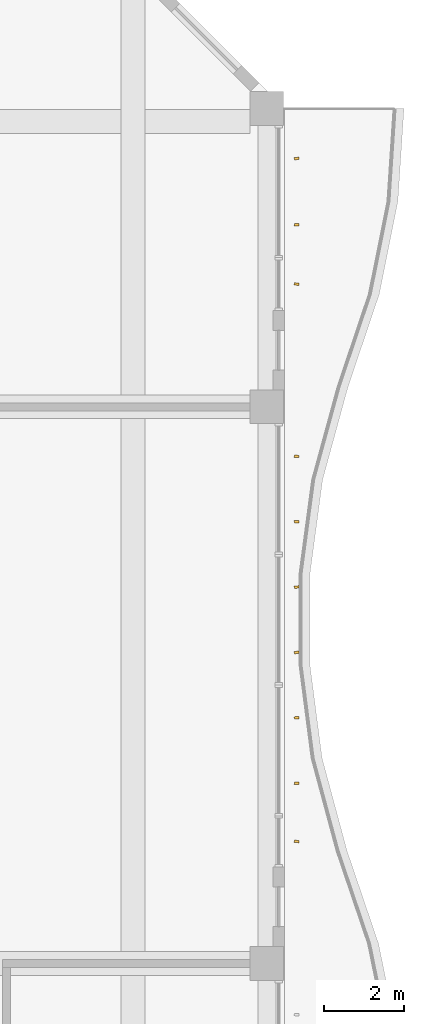
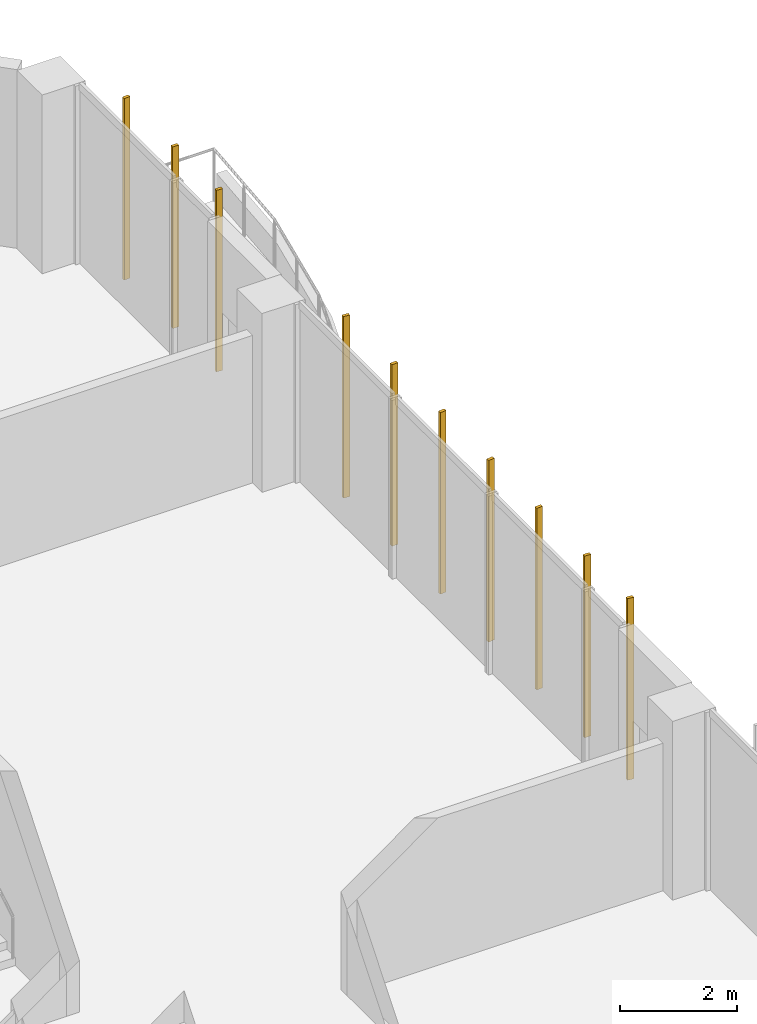
# One storey, part 27 of 27: 10 shading devices.
"""IFC4 building model written with IfcOpenShell, lengths in metres."""

import ifcopenshell
import ifcopenshell.guid

model = None  # the IFC model being written
_history = None  # IfcOwnerHistory: only IFC2X3 demands one
_inside = {}  # id of a spatial element -> (the spatial element, [elements in it])
_under = {}  # id of a project, library or spatial element -> (it, [spatial elements below it])
_declared = {}  # id of a project -> (the project, [libraries it declares])
_typed = {}  # id of a type object -> (the type object, [elements of that type])
_made_of = {}  # id of a material, layer set ... -> (it, [elements and type objects made of it])


def new_model(schema):
    """Start an empty IFC model of exactly this schema.

    Asked for "IFC4X3", IfcOpenShell would pick the latest addendum, in which some entities
    have other attributes; the version numbers below select the first issue.
    IFC2X3 requires an IfcOwnerHistory on every rooted entity: one is made here for all.
    """
    global model, _history
    if schema == "IFC4X3":
        model = ifcopenshell.file(schema_version=(4, 3, 0, 0))
    else:
        model = ifcopenshell.file(schema=schema)
    _inside.clear()
    _under.clear()
    _declared.clear()
    _typed.clear()
    _made_of.clear()
    _history = None
    if model.schema == "IFC2X3":
        org = make("IfcOrganization", Name="unknown")
        user = make(
            "IfcPersonAndOrganization",
            ThePerson=make("IfcPerson", FamilyName="unknown"),
            TheOrganization=org,
        )
        app = make(
            "IfcApplication",
            ApplicationDeveloper=org,
            Version="unknown",
            ApplicationFullName="unknown",
            ApplicationIdentifier="unknown",
        )
        _history = make(
            "IfcOwnerHistory",
            OwningUser=user,
            OwningApplication=app,
            ChangeAction="ADDED",
            CreationDate=0,
        )
    return model


def make(cls, **values):
    """One entity of the class cls with the attributes given. An attribute that is None is left unset."""
    return model.create_entity(
        cls, **{name: value for name, value in values.items() if value is not None}
    )


def rooted(cls, **values):
    """An entity with a GlobalId (a new one), such as an element, a storey or a relation."""
    return make(cls, GlobalId=ifcopenshell.guid.new(), OwnerHistory=_history, **values)


def si_unit(unit_type, name, prefix=None):
    """IfcSIUnit, for example si_unit("LENGTHUNIT", "METRE", prefix="MILLI")."""
    return make("IfcSIUnit", UnitType=unit_type, Prefix=prefix, Name=name)


def assignment(units):
    """IfcUnitAssignment: the units of a project."""
    return None if units is None else make("IfcUnitAssignment", Units=units)


def point(xyz):
    """IfcCartesianPoint."""
    return None if xyz is None else make("IfcCartesianPoint", Coordinates=xyz)


def direction(xyz):
    """IfcDirection."""
    return None if xyz is None else make("IfcDirection", DirectionRatios=xyz)


def frame(location, z_axis=None, x_axis=None):
    """IfcAxis2Placement3D, a coordinate frame: its origin and axes. An axis left out is left unset."""
    return make(
        "IfcAxis2Placement3D",
        Location=point(location),
        Axis=direction(z_axis),
        RefDirection=direction(x_axis),
    )


def frame_2d(location, x_axis=None):
    """IfcAxis2Placement2D, a coordinate frame in the plane: its origin and x axis."""
    return make(
        "IfcAxis2Placement2D", Location=point(location), RefDirection=direction(x_axis)
    )


def origin():
    """The frame at (0, 0, 0) with its axes left unset."""
    return frame((0.0, 0.0, 0.0))


def origin_2d():
    """The frame at (0, 0) in the plane with its x axis left unset."""
    return frame_2d((0.0, 0.0))


def place(relative_to, where):
    """IfcLocalPlacement: puts the frame where relative to a parent placement (None: the world)."""
    return make(
        "IfcLocalPlacement", PlacementRelTo=relative_to, RelativePlacement=where
    )


def context(
    kind, dimensions, precision=None, world=None, true_north=None, identifier=None
):
    """IfcGeometricRepresentationContext, for example the 3D "Model" context."""
    return make(
        "IfcGeometricRepresentationContext",
        ContextIdentifier=identifier,
        ContextType=kind,
        CoordinateSpaceDimension=dimensions,
        Precision=precision,
        WorldCoordinateSystem=world,
        TrueNorth=true_north,
    )


def subcontext(parent, identifier, kind, view, scale=None):
    """IfcGeometricRepresentationSubContext, for example "Body" below "Model"."""
    return make(
        "IfcGeometricRepresentationSubContext",
        ContextIdentifier=identifier,
        ContextType=kind,
        ParentContext=parent,
        TargetScale=scale,
        TargetView=view,
    )


def project(units=None, contexts=None):
    """IfcProject with its units and contexts."""
    return rooted(
        "IfcProject",
        Name="project",
        RepresentationContexts=contexts,
        UnitsInContext=assignment(units),
    )


def spatial(cls, under=None, at=None, **own):
    """A site, building, storey or space (cls), placed at a placement, below another one or the project."""
    s = rooted(cls, ObjectPlacement=at, **own)
    if under is not None:
        _under.setdefault(under.id(), (under, []))[1].append(s)
    return s


def profile(cls, at=None, kind="AREA", **sizes):
    """A parametric profile (cls). Its sizes go by their IFC names, for example OverallWidth=200.0."""
    return make(cls, ProfileType=kind, Position=at, **sizes)


def rectangle(**sizes):
    """IfcRectangleProfileDef."""
    return profile("IfcRectangleProfileDef", **sizes)


def extrude(swept, where, along, depth):
    """IfcExtrudedAreaSolid: the profile swept, set in the frame where, extruded along a direction by depth."""
    return make(
        "IfcExtrudedAreaSolid",
        SweptArea=swept,
        Position=where,
        ExtrudedDirection=direction(along),
        Depth=depth,
    )


def shape(context_of_items, identifier, shape_type, items):
    """IfcShapeRepresentation: the items that make up one representation, for example the "Body"."""
    return make(
        "IfcShapeRepresentation",
        ContextOfItems=context_of_items,
        RepresentationIdentifier=identifier,
        RepresentationType=shape_type,
        Items=items,
    )


def source(mapping_origin, context_of_items, identifier, shape_type, items):
    """IfcRepresentationMap: a shape defined once, which mapped items show again and again."""
    return make(
        "IfcRepresentationMap",
        MappingOrigin=mapping_origin,
        MappedRepresentation=shape(context_of_items, identifier, shape_type, items),
    )


def transform(
    local_origin,
    x_axis=None,
    y_axis=None,
    z_axis=None,
    scale=None,
    scale2=None,
    scale3=None,
    uniform=True,
):
    """IfcCartesianTransformationOperator3D, or its non-uniform kind. x_axis, y_axis, z_axis: its Axis1, 2, 3."""
    if uniform:
        return make(
            "IfcCartesianTransformationOperator3D",
            Axis1=direction(x_axis),
            Axis2=direction(y_axis),
            LocalOrigin=point(local_origin),
            Scale=scale,
            Axis3=direction(z_axis),
        )
    return make(
        "IfcCartesianTransformationOperator3DnonUniform",
        Axis1=direction(x_axis),
        Axis2=direction(y_axis),
        LocalOrigin=point(local_origin),
        Scale=scale,
        Axis3=direction(z_axis),
        Scale2=scale2,
        Scale3=scale3,
    )


def mapped(mapping_source, mapping_target):
    """IfcMappedItem: shows the shape of a source again, moved by a transform."""
    return make(
        "IfcMappedItem", MappingSource=mapping_source, MappingTarget=mapping_target
    )


def material(Name=None, Category=None):
    """IfcMaterial."""
    return make("IfcMaterial", Name=Name, Category=Category)


def material_profile(
    of_material, cross_section, Name=None, Category=None, Priority=None
):
    """IfcMaterialProfile: a cross section and its material."""
    return make(
        "IfcMaterialProfile",
        Name=Name,
        Material=of_material,
        Profile=cross_section,
        Priority=Priority,
        Category=Category,
    )


def profile_set(profiles, Name=None, composite=None):
    """IfcMaterialProfileSet."""
    return make(
        "IfcMaterialProfileSet",
        Name=Name,
        MaterialProfiles=profiles,
        CompositeProfile=composite,
    )


def made_of(thing, what):
    """Note that an element or type object is made of a material, layer set ...; save() writes the relation."""
    if what is not None:
        _made_of.setdefault(what.id(), (what, []))[1].append(thing)
    return thing


def type_object(cls, material=None, **own):
    """A type object (cls), such as IfcWallType, which elements share."""
    return made_of(rooted(cls, **own), material)


def element(
    cls,
    number,
    at=None,
    inside=None,
    cuts=None,
    type_object=None,
    material=None,
    context=None,
    identifier="Body",
    shape_type=None,
    held_by="IfcProductDefinitionShape",
    body=None,
    shapes=None,
    **own,
):
    """One element of the class cls, such as IfcWall. Its Tag is "e" and its number.

    at: its placement. inside: the storey or other place that contains it. cuts: it is an
    opening in that element (IfcRelVoidsElement). A single representation is given by context,
    identifier, shape_type and body (its items); several are given by shapes. held_by: the class
    of the entity that holds the representations. save() writes the other relations.
    """
    e = rooted(cls, Tag="e%d" % number, ObjectPlacement=at, **own)
    if body is not None:
        shapes = [shape(context, identifier, shape_type, body)]
    if shapes is not None:
        e.Representation = make(held_by, Representations=shapes)
    if inside is not None:
        _inside.setdefault(inside.id(), (inside, []))[1].append(e)
    if cuts is not None:
        rooted(
            "IfcRelVoidsElement", RelatingBuildingElement=cuts, RelatedOpeningElement=e
        )
    if type_object is not None:
        _typed.setdefault(type_object.id(), (type_object, []))[1].append(e)
    return made_of(e, material)


def aggregate(whole, parts):
    """IfcRelAggregates: a whole, such as a stair, and the parts it consists of."""
    return rooted("IfcRelAggregates", RelatingObject=whole, RelatedObjects=parts)


def save(model, path):
    """Write the relations noted so far, then the file.

    IfcRelAggregates (storeys below a building ...), IfcRelContainedInSpatialStructure (elements
    in a storey), IfcRelDefinesByType, IfcRelAssociatesMaterial and IfcRelDeclares: one each for
    every whole, place, type object, material and project.
    """
    for whole, parts in _under.values():
        aggregate(whole, parts)
    for where, things in _inside.values():
        rooted(
            "IfcRelContainedInSpatialStructure",
            RelatedElements=things,
            RelatingStructure=where,
        )
    for kind, things in _typed.values():
        rooted("IfcRelDefinesByType", RelatedObjects=things, RelatingType=kind)
    for what, things in _made_of.values():
        rooted("IfcRelAssociatesMaterial", RelatedObjects=things, RelatingMaterial=what)
    for by, libraries in _declared.values():
        rooted("IfcRelDeclares", RelatingContext=by, RelatedDefinitions=libraries)
    model.write(path)


model = new_model("IFC4")

# Units and contexts
model_context = context("Model", 3, precision=1e-05, world=origin(), true_north=direction((0.0, 1.0)))
body_context = subcontext(model_context, "Body", "Model", "MODEL_VIEW")
ifc_project = project(units=[si_unit("LENGTHUNIT", "METRE"), si_unit("AREAUNIT", "SQUARE_METRE"), si_unit("VOLUMEUNIT", "CUBIC_METRE"), si_unit("PLANEANGLEUNIT", "RADIAN"), si_unit("MASSUNIT", "GRAM", prefix="KILO")], contexts=[model_context])

# Site, building, storey
site_placement = place(None, origin())
site = spatial("IfcSite", under=ifc_project, at=site_placement, CompositionType="ELEMENT")
building_placement = place(site_placement, origin())
building = spatial("IfcBuilding", under=site, at=building_placement, Name="Kilnfold Tower and Market Hall", CompositionType="ELEMENT")
storey_placement = place(building_placement, frame((0.0, 0.0, 112.60009765625)))
storey = spatial("IfcBuildingStorey", under=building, at=storey_placement, Name="L26", CompositionType="ELEMENT", Elevation=112.60009765625)

# Shading devices
ifc_material = material(Name="Terracotta", Category="masonry")
ifc_material_profile = material_profile(ifc_material, rectangle(XDim=0.06005859375, YDim=0.1201171875, at=origin_2d()), Name="BAG 60x120")
ifc_profile_set = profile_set([ifc_material_profile], Name="Terracotta")
shading_device_type = type_object("IfcShadingDeviceType", Name="BAGUETTE", PredefinedType="USERDEFINED", material=ifc_profile_set)
shared_shape = source(origin(), body_context, "Body", "SweptSolid", [
    extrude(rectangle(XDim=0.06005859375, YDim=0.1201171875, at=origin_2d()), origin(), (0.0, 0.0, 1.0), 3.77978515625),
])
for number, where, z_axis, x_axis, name in (
    (1, (33.300048828125, 11.06884765625, 0.0), (0.0, 0.0, 1.0), (0.094773786693, 0.995498834432, 0.0), "Terracotta baguette L26 E"),
    (2, (33.300048828125, 12.534423828125, 0.0), (0.0, 0.0, 1.0), (0.012508448545, 0.999921766297, 0.0), "Terracotta baguette L26 E"),
    (3, (33.300048828125, 14.177978515625, 0.0), (0.0, 0.0, 1.0), (-0.084178724683, 0.996450672292, 0.0), "Terracotta baguette L26 E"),
    (4, (33.300048828125, 15.822021484375, 0.0), (0.0, 0.0, 1.0), (-0.136811789996, 0.990597059413, 0.0), "Terracotta baguette L26 E"),
    (5, (33.300048828125, 17.465576171875, 0.0), (0.0, 0.0, 1.0), (-0.118561674521, 0.992946690077, 0.0), "Terracotta baguette L26 E"),
    (6, (33.300048828125, 19.109375, 0.0), (0.0, 0.0, 1.0), (-0.038637206009, 0.999253304379, 0.0), "Terracotta baguette L26 E"),
    (7, (33.300048828125, 20.753173828125, 0.0), (0.0, 0.0, 1.0), (0.06160599362, 0.998100546814, 0.0), "Terracotta baguette L26 E"),
    (8, (33.300048828125, 25.08740234375, 0.0), (0.0, 0.0, 1.0), (0.093913702179, 0.995580341581, 0.0), "Terracotta baguette L26 E"),
    (9, (33.300048828125, 26.581298828125, 0.0), (0.0, 0.0, 1.0), (0.009579965723, 0.999954111075, 0.0), "Terracotta baguette L26 E"),
    (10, (33.300048828125, 28.243896484375, 0.0), (0.0, 0.0, 1.0), (-0.087407849677, 0.996172609448, 0.0), "Terracotta baguette L26 E"),
):
    element("IfcShadingDevice", number, at=place(storey_placement, frame(where, z_axis=z_axis, x_axis=x_axis)), inside=storey, type_object=shading_device_type, Name=name, ObjectType="BAGUETTE", PredefinedType="USERDEFINED", context=body_context, shape_type="MappedRepresentation", body=[
        mapped(shared_shape, transform((0.0, 0.0, 0.0))),
    ])

save(model, "model.ifc")
